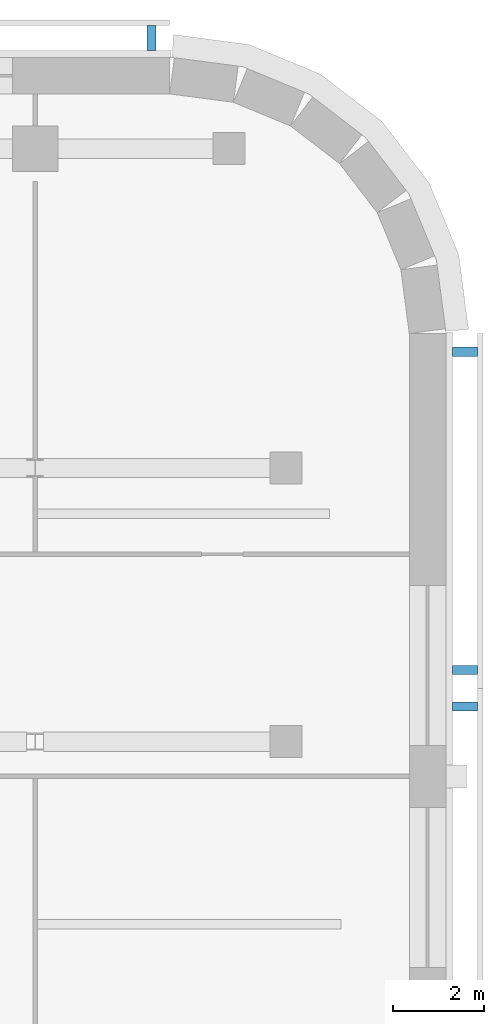
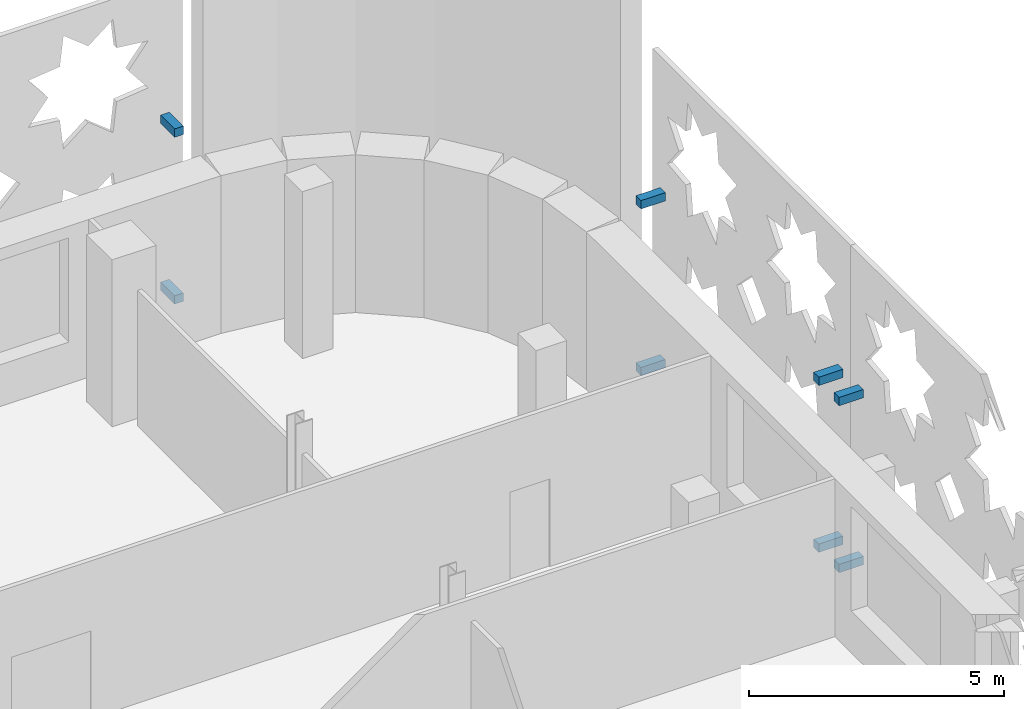
# One storey, part 11 of 16: 8 discrete accessories.
"""IFC4 building model written with IfcOpenShell, lengths in metres."""

from ifc_helpers import new_model, si_unit, direction, frame, origin, origin_2d, place, context, subcontext, project, spatial, rectangle, extrude, material, type_object, element, save


model = new_model("IFC4")

# Units and contexts
model_context = context("Model", 3, precision=1e-05, world=origin(), true_north=direction((0.0, 1.0)))
body_context = subcontext(model_context, "Body", "Model", "MODEL_VIEW")
ifc_project = project(units=[si_unit("LENGTHUNIT", "METRE"), si_unit("AREAUNIT", "SQUARE_METRE"), si_unit("VOLUMEUNIT", "CUBIC_METRE"), si_unit("PLANEANGLEUNIT", "RADIAN"), si_unit("MASSUNIT", "GRAM", prefix="KILO")], contexts=[model_context])

# Site, building, storey
site_placement = place(None, origin())
site = spatial("IfcSite", under=ifc_project, at=site_placement, CompositionType="ELEMENT")
building_placement = place(site_placement, origin())
building = spatial("IfcBuilding", under=site, at=building_placement, Name="Zellij Exchange Tower", CompositionType="ELEMENT")
storey_placement = place(building_placement, frame((0.0, 0.0, 272.5)))
storey = spatial("IfcBuildingStorey", under=building, at=storey_placement, Name="L64", CompositionType="ELEMENT", Elevation=272.5)

# Discrete accessories
ifc_material = material(Name="Stainless steel", Category="steel")
discrete_accessory_type = type_object("IfcDiscreteAccessoryType", Name="ENV-BR1 Stone panel bracket 200", PredefinedType="USERDEFINED", material=ifc_material)
for number, where, z_axis, x_axis, name in (
    (1, (29.547607421875, 37.425048828125, 0.2998046875), (0.0, 0.0, 1.0), (-1.0, 0.0, 0.0), "Panel bracket"),
    (2, (29.547607421875, 37.425048828125, 4.2998046875), (0.0, 0.0, 1.0), (-1.0, 0.0, 0.0), "Panel bracket"),
    (3, (36.425048828125, 22.7685546875, 0.2998046875), (0.0, 0.0, 1.0), (0.0, 1.0, 0.0), "Panel bracket"),
    (4, (36.425048828125, 22.7685546875, 4.2998046875), (0.0, 0.0, 1.0), (0.0, 1.0, 0.0), "Panel bracket"),
    (5, (36.425048828125, 23.568603515625, 0.2998046875), (0.0, 0.0, 1.0), (0.0, 1.0, 0.0), "Panel bracket"),
    (6, (36.425048828125, 30.547607421875, 0.2998046875), (0.0, 0.0, 1.0), (0.0, 1.0, 0.0), "Panel bracket"),
    (7, (36.425048828125, 23.568603515625, 4.2998046875), (0.0, 0.0, 1.0), (0.0, 1.0, 0.0), "Panel bracket"),
    (8, (36.425048828125, 30.547607421875, 4.2998046875), (0.0, 0.0, 1.0), (0.0, 1.0, 0.0), "Panel bracket"),
):
    element("IfcDiscreteAccessory", number, at=place(storey_placement, frame(where, z_axis=z_axis, x_axis=x_axis)), inside=storey, type_object=discrete_accessory_type, Name=name, ObjectType="BRACKET", PredefinedType="USERDEFINED", context=body_context, shape_type="SweptSolid", body=[
        extrude(rectangle(XDim=0.199951171875, YDim=0.550048828125, at=origin_2d()), origin(), (0.0, 0.0, 1.0), 0.199951171875),
    ])

save(model, "model.ifc")
